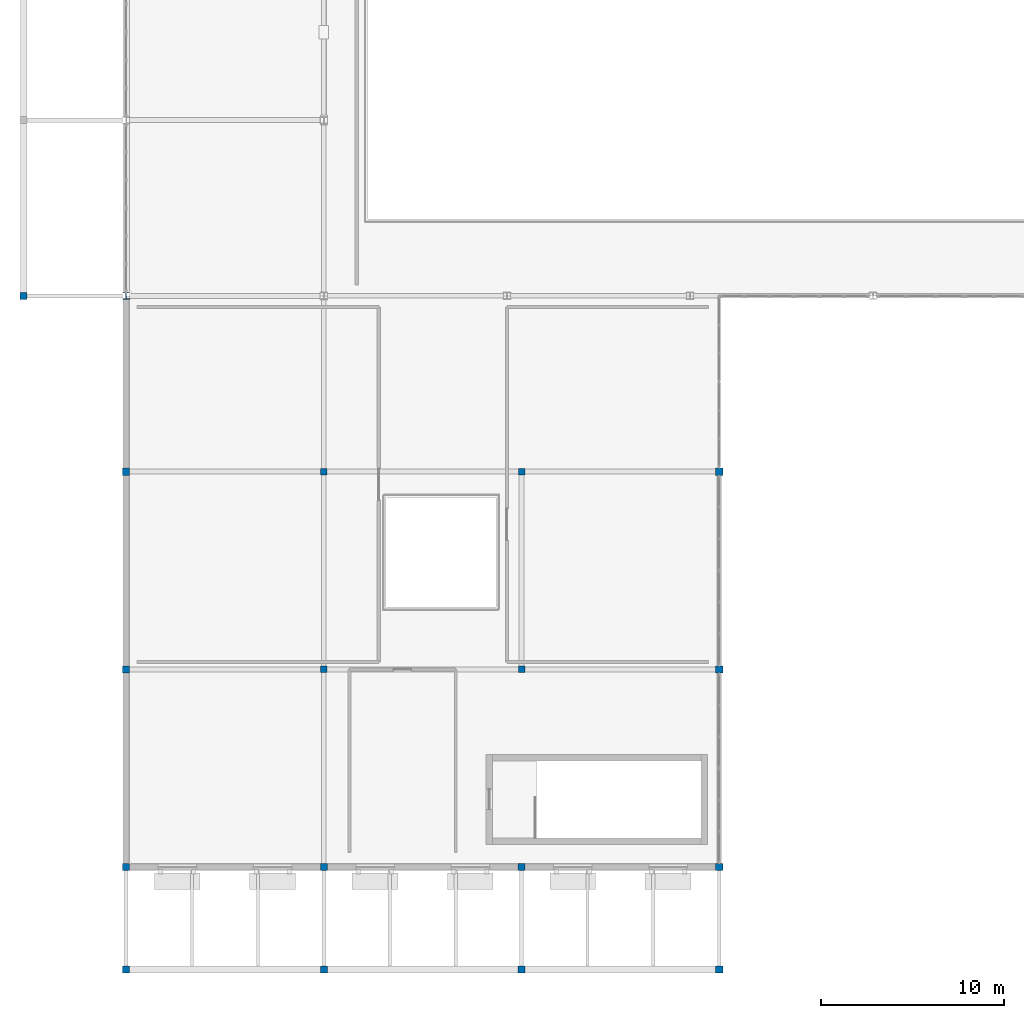
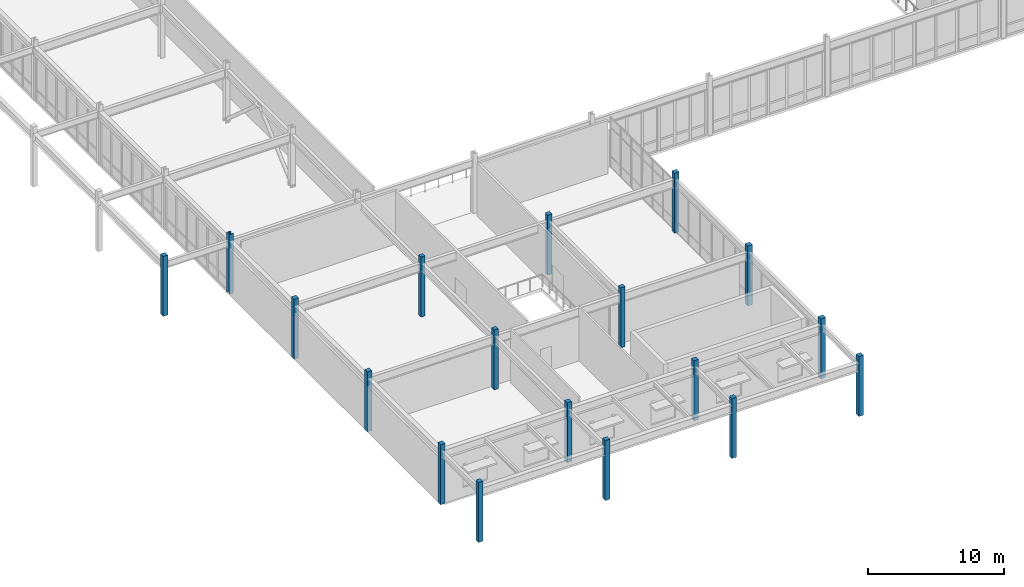
# One storey, part 1 of 68: 18 columns.
"""IFC4 building model written with IfcOpenShell, lengths in metres."""

from ifc_helpers import new_model, si_unit, direction, frame, origin, origin_2d, place, context, subcontext, project, spatial, rectangle, i_section, extrude, material, material_profile, profile_set, type_object, element, save


model = new_model("IFC4")

# Units and contexts
model_context = context("Model", 3, precision=1e-05, world=origin(), true_north=direction((0.0, 1.0)))
body_context = subcontext(model_context, "Body", "Model", "MODEL_VIEW")
ifc_project = project(units=[si_unit("LENGTHUNIT", "METRE"), si_unit("AREAUNIT", "SQUARE_METRE"), si_unit("VOLUMEUNIT", "CUBIC_METRE"), si_unit("PLANEANGLEUNIT", "RADIAN"), si_unit("MASSUNIT", "GRAM", prefix="KILO")], contexts=[model_context])

# Site, building, storey
site_placement = place(None, origin())
site = spatial("IfcSite", under=ifc_project, at=site_placement, CompositionType="ELEMENT")
building_placement = place(site_placement, origin())
building = spatial("IfcBuilding", under=site, at=building_placement, Name="Veldera Park Congress Hotel", CompositionType="ELEMENT")
storey_placement = place(building_placement, frame((0.0, 0.0, 10.800048828125)))
storey = spatial("IfcBuildingStorey", under=building, at=storey_placement, Name="L02", CompositionType="ELEMENT", Elevation=10.800048828125)

# Columns
ifc_material_1 = material(Name="Glulam GL28h (NDS 24F-V4)", Category="wood")
ifc_material_profile_1 = material_profile(ifc_material_1, rectangle(XDim=0.360107421875, YDim=0.360107421875, at=origin_2d()), Name="GL28h 360x360")
ifc_profile_set_1 = profile_set([ifc_material_profile_1], Name="Glulam GL28h (NDS 24F-V4)")
column_type_1 = type_object("IfcColumnType", Name="COL-GL36", PredefinedType="COLUMN", material=ifc_profile_set_1)
for number, where, z_axis, x_axis, name in (
    (1, (-67.39990234375, -41.39990234375, 0.0), (0.0, 0.0, 1.0), (1.0, 0.0, 0.0), "L02 Column COL-GL36 (-67.4,-41.4)"),
    (2, (-67.39990234375, -30.60009765625, 0.0), (0.0, 0.0, 1.0), (1.0, 0.0, 0.0), "L02 Column COL-GL36 (-67.4,-30.6)"),
    (3, (-56.60009765625, -41.39990234375, 0.0), (0.0, 0.0, 1.0), (1.0, 0.0, 0.0), "L02 Column COL-GL36 (-56.6,-41.4)"),
    (4, (-56.60009765625, -30.60009765625, 0.0), (0.0, 0.0, 1.0), (1.0, 0.0, 0.0), "L02 Column COL-GL36 (-56.6,-30.6)"),
):
    element("IfcColumn", number, at=place(storey_placement, frame(where, z_axis=z_axis, x_axis=x_axis)), inside=storey, type_object=column_type_1, Name=name, PredefinedType="COLUMN", context=body_context, shape_type="SweptSolid", body=[
        extrude(rectangle(XDim=0.360107421875, YDim=0.360107421875, at=origin_2d()), origin(), (0.0, 0.0, 1.0), 5.39990234375),
    ])
ifc_material_profile_2 = material_profile(ifc_material_1, rectangle(XDim=0.389892578125, YDim=0.389892578125, at=origin_2d()), Name="GL28h 390x390")
ifc_profile_set_2 = profile_set([ifc_material_profile_2], Name="Glulam GL28h (NDS 24F-V4)")
column_type_2 = type_object("IfcColumnType", Name="COL-GL36E", PredefinedType="COLUMN", material=ifc_profile_set_2)
for number, where, z_axis, x_axis, name in (
    (5, (-83.800048828125, -21.0, 0.0), (0.0, 0.0, 1.0), (1.0, 0.0, 0.0), "L02 Column COL-GL36E (-83.8,-21.0)"),
    (6, (-78.199951171875, -57.800048828125, 0.0), (0.0, 0.0, 1.0), (1.0, 0.0, 0.0), "L02 Column COL-GL36E (-78.2,-57.8)"),
    (7, (-78.199951171875, -52.199951171875, 0.0), (0.0, 0.0, 1.0), (1.0, 0.0, 0.0), "L02 Column COL-GL36E (-78.2,-52.2)"),
    (8, (-78.199951171875, -41.39990234375, 0.0), (0.0, 0.0, 1.0), (1.0, 0.0, 0.0), "L02 Column COL-GL36E (-78.2,-41.4)"),
    (9, (-78.199951171875, -30.60009765625, 0.0), (0.0, 0.0, 1.0), (1.0, 0.0, 0.0), "L02 Column COL-GL36E (-78.2,-30.6)"),
    (10, (-67.39990234375, -57.800048828125, 0.0), (0.0, 0.0, 1.0), (1.0, 0.0, 0.0), "L02 Column COL-GL36E (-67.4,-57.8)"),
    (11, (-67.39990234375, -52.199951171875, 0.0), (0.0, 0.0, 1.0), (1.0, 0.0, 0.0), "L02 Column COL-GL36E (-67.4,-52.2)"),
    (12, (-56.60009765625, -57.800048828125, 0.0), (0.0, 0.0, 1.0), (1.0, 0.0, 0.0), "L02 Column COL-GL36E (-56.6,-57.8)"),
    (13, (-56.60009765625, -52.199951171875, 0.0), (0.0, 0.0, 1.0), (1.0, 0.0, 0.0), "L02 Column COL-GL36E (-56.6,-52.2)"),
    (14, (-45.800048828125, -57.800048828125, 0.0), (0.0, 0.0, 1.0), (1.0, 0.0, 0.0), "L02 Column COL-GL36E (-45.8,-57.8)"),
    (15, (-45.800048828125, -52.199951171875, 0.0), (0.0, 0.0, 1.0), (1.0, 0.0, 0.0), "L02 Column COL-GL36E (-45.8,-52.2)"),
    (16, (-45.800048828125, -41.39990234375, 0.0), (0.0, 0.0, 1.0), (1.0, 0.0, 0.0), "L02 Column COL-GL36E (-45.8,-41.4)"),
    (17, (-45.800048828125, -30.60009765625, 0.0), (0.0, 0.0, 1.0), (1.0, 0.0, 0.0), "L02 Column COL-GL36E (-45.8,-30.6)"),
):
    element("IfcColumn", number, at=place(storey_placement, frame(where, z_axis=z_axis, x_axis=x_axis)), inside=storey, type_object=column_type_2, Name=name, PredefinedType="COLUMN", context=body_context, shape_type="SweptSolid", body=[
        extrude(rectangle(XDim=0.389892578125, YDim=0.389892578125, at=origin_2d()), origin(), (0.0, 0.0, 1.0), 5.39990234375),
    ])
ifc_material_2 = material(Name="Steel ASTM A992 Gr.50", Category="steel")
ifc_material_profile_3 = material_profile(ifc_material_2, i_section(OverallWidth=0.373046875, OverallDepth=0.367919921875, WebThickness=0.014892578125, FlangeThickness=0.02392578125, at=origin_2d()), Name="W14X120")
ifc_profile_set_3 = profile_set([ifc_material_profile_3], Name="Steel ASTM A992 Gr.50")
column_type_3 = type_object("IfcColumnType", Name="COL-STL120E", PredefinedType="COLUMN", material=ifc_profile_set_3)
column_placement = place(storey_placement, frame((-78.199951171875, -21.0, 0.0), z_axis=(0.0, 0.0, 1.0), x_axis=(1.0, 0.0, 0.0)))
element("IfcColumn", 18, at=column_placement, inside=storey, type_object=column_type_3, Name="L02 Column COL-STL120E (-78.2,-21.0)", PredefinedType="COLUMN", context=body_context, shape_type="SweptSolid", body=[
    extrude(i_section(OverallWidth=0.373046875, OverallDepth=0.367919921875, WebThickness=0.014892578125, FlangeThickness=0.02392578125, at=origin_2d()), origin(), (0.0, 0.0, 1.0), 5.39990234375),
])

save(model, "model.ifc")
